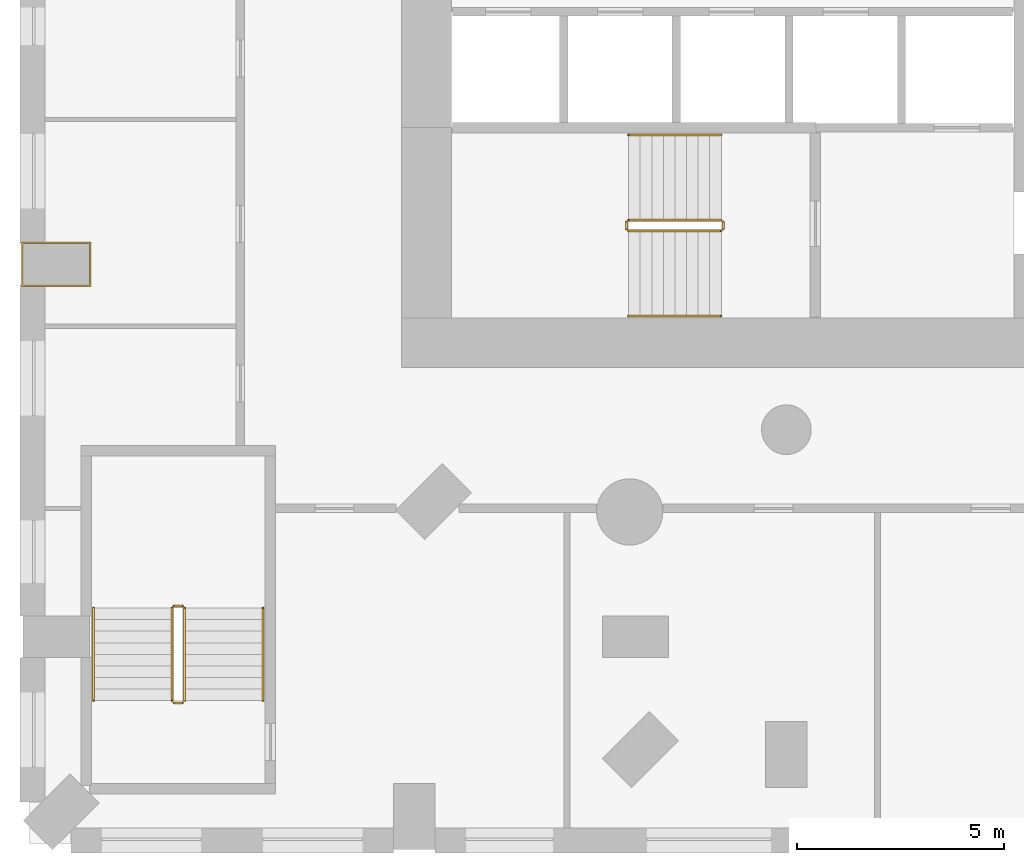
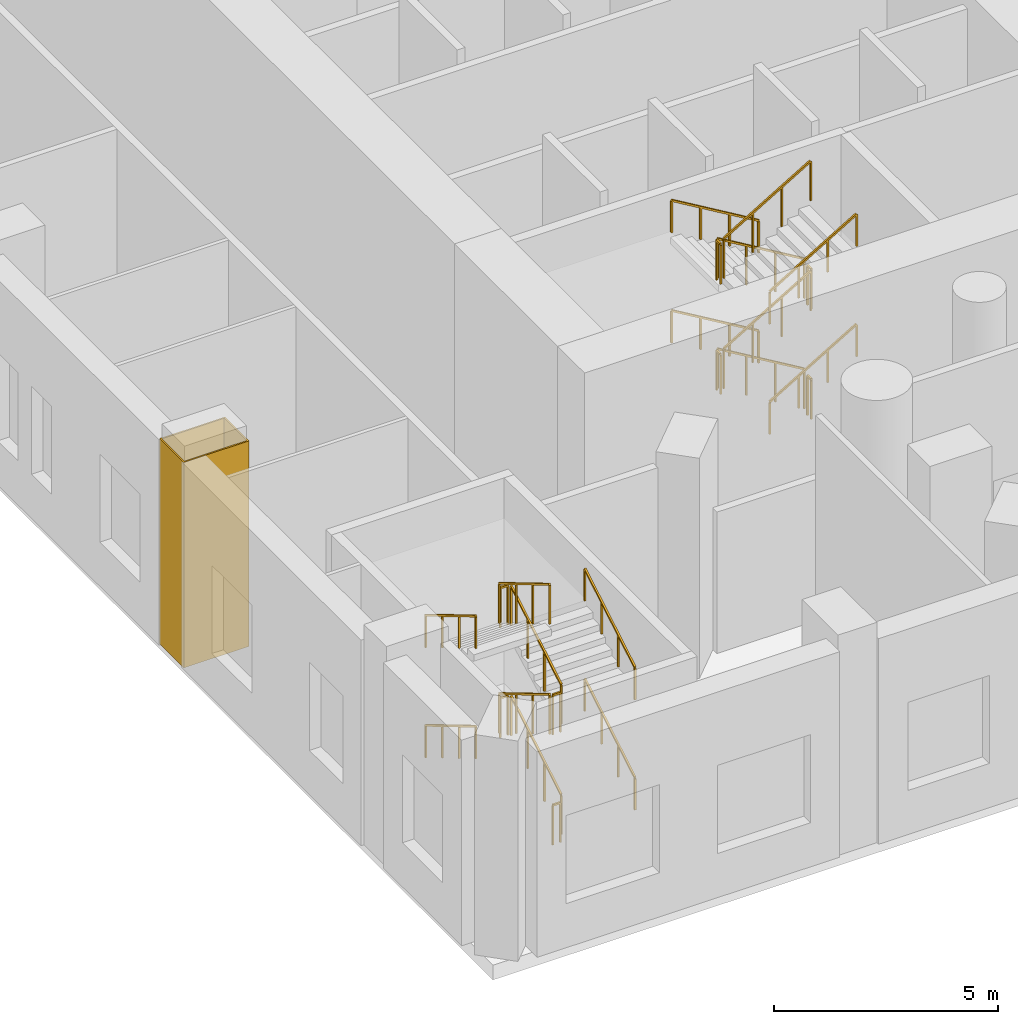
# One storey, part 16 of 19: 24 railings, 1 covering.
"""IFC4 building model written with IfcOpenShell, lengths in metres."""

import ifcopenshell
import ifcopenshell.guid

model = None  # the IFC model being written
_history = None  # IfcOwnerHistory: only IFC2X3 demands one
_inside = {}  # id of a spatial element -> (the spatial element, [elements in it])
_under = {}  # id of a project, library or spatial element -> (it, [spatial elements below it])
_declared = {}  # id of a project -> (the project, [libraries it declares])
_typed = {}  # id of a type object -> (the type object, [elements of that type])
_made_of = {}  # id of a material, layer set ... -> (it, [elements and type objects made of it])


def new_model(schema):
    """Start an empty IFC model of exactly this schema.

    Asked for "IFC4X3", IfcOpenShell would pick the latest addendum, in which some entities
    have other attributes; the version numbers below select the first issue.
    IFC2X3 requires an IfcOwnerHistory on every rooted entity: one is made here for all.
    """
    global model, _history
    if schema == "IFC4X3":
        model = ifcopenshell.file(schema_version=(4, 3, 0, 0))
    else:
        model = ifcopenshell.file(schema=schema)
    _inside.clear()
    _under.clear()
    _declared.clear()
    _typed.clear()
    _made_of.clear()
    _history = None
    if model.schema == "IFC2X3":
        org = make("IfcOrganization", Name="unknown")
        user = make(
            "IfcPersonAndOrganization",
            ThePerson=make("IfcPerson", FamilyName="unknown"),
            TheOrganization=org,
        )
        app = make(
            "IfcApplication",
            ApplicationDeveloper=org,
            Version="unknown",
            ApplicationFullName="unknown",
            ApplicationIdentifier="unknown",
        )
        _history = make(
            "IfcOwnerHistory",
            OwningUser=user,
            OwningApplication=app,
            ChangeAction="ADDED",
            CreationDate=0,
        )
    return model


def make(cls, **values):
    """One entity of the class cls with the attributes given. An attribute that is None is left unset."""
    return model.create_entity(
        cls, **{name: value for name, value in values.items() if value is not None}
    )


def rooted(cls, **values):
    """An entity with a GlobalId (a new one), such as an element, a storey or a relation."""
    return make(cls, GlobalId=ifcopenshell.guid.new(), OwnerHistory=_history, **values)


def si_unit(unit_type, name, prefix=None):
    """IfcSIUnit, for example si_unit("LENGTHUNIT", "METRE", prefix="MILLI")."""
    return make("IfcSIUnit", UnitType=unit_type, Prefix=prefix, Name=name)


def assignment(units):
    """IfcUnitAssignment: the units of a project."""
    return None if units is None else make("IfcUnitAssignment", Units=units)


def point(xyz):
    """IfcCartesianPoint."""
    return None if xyz is None else make("IfcCartesianPoint", Coordinates=xyz)


def direction(xyz):
    """IfcDirection."""
    return None if xyz is None else make("IfcDirection", DirectionRatios=xyz)


def frame(location, z_axis=None, x_axis=None):
    """IfcAxis2Placement3D, a coordinate frame: its origin and axes. An axis left out is left unset."""
    return make(
        "IfcAxis2Placement3D",
        Location=point(location),
        Axis=direction(z_axis),
        RefDirection=direction(x_axis),
    )


def frame_2d(location, x_axis=None):
    """IfcAxis2Placement2D, a coordinate frame in the plane: its origin and x axis."""
    return make(
        "IfcAxis2Placement2D", Location=point(location), RefDirection=direction(x_axis)
    )


def origin():
    """The frame at (0, 0, 0) with its axes left unset."""
    return frame((0.0, 0.0, 0.0))


def origin_2d():
    """The frame at (0, 0) in the plane with its x axis left unset."""
    return frame_2d((0.0, 0.0))


def place(relative_to, where):
    """IfcLocalPlacement: puts the frame where relative to a parent placement (None: the world)."""
    return make(
        "IfcLocalPlacement", PlacementRelTo=relative_to, RelativePlacement=where
    )


def context(
    kind, dimensions, precision=None, world=None, true_north=None, identifier=None
):
    """IfcGeometricRepresentationContext, for example the 3D "Model" context."""
    return make(
        "IfcGeometricRepresentationContext",
        ContextIdentifier=identifier,
        ContextType=kind,
        CoordinateSpaceDimension=dimensions,
        Precision=precision,
        WorldCoordinateSystem=world,
        TrueNorth=true_north,
    )


def subcontext(parent, identifier, kind, view, scale=None):
    """IfcGeometricRepresentationSubContext, for example "Body" below "Model"."""
    return make(
        "IfcGeometricRepresentationSubContext",
        ContextIdentifier=identifier,
        ContextType=kind,
        ParentContext=parent,
        TargetScale=scale,
        TargetView=view,
    )


def project(units=None, contexts=None):
    """IfcProject with its units and contexts."""
    return rooted(
        "IfcProject",
        Name="project",
        RepresentationContexts=contexts,
        UnitsInContext=assignment(units),
    )


def spatial(cls, under=None, at=None, **own):
    """A site, building, storey or space (cls), placed at a placement, below another one or the project."""
    s = rooted(cls, ObjectPlacement=at, **own)
    if under is not None:
        _under.setdefault(under.id(), (under, []))[1].append(s)
    return s


def polyline(points):
    """IfcPolyline through the points."""
    return make("IfcPolyline", Points=[point(p) for p in points])


def profile(cls, at=None, kind="AREA", **sizes):
    """A parametric profile (cls). Its sizes go by their IFC names, for example OverallWidth=200.0."""
    return make(cls, ProfileType=kind, Position=at, **sizes)


def rectangle(**sizes):
    """IfcRectangleProfileDef."""
    return profile("IfcRectangleProfileDef", **sizes)


def outline(outer, holes=None, kind="AREA"):
    """IfcArbitraryClosedProfileDef: a profile drawn as a closed curve; with holes, ...WithVoids."""
    if holes is None:
        return make("IfcArbitraryClosedProfileDef", ProfileType=kind, OuterCurve=outer)
    return make(
        "IfcArbitraryProfileDefWithVoids",
        ProfileType=kind,
        OuterCurve=outer,
        InnerCurves=holes,
    )


def extrude(swept, where, along, depth):
    """IfcExtrudedAreaSolid: the profile swept, set in the frame where, extruded along a direction by depth."""
    return make(
        "IfcExtrudedAreaSolid",
        SweptArea=swept,
        Position=where,
        ExtrudedDirection=direction(along),
        Depth=depth,
    )


def shape(context_of_items, identifier, shape_type, items):
    """IfcShapeRepresentation: the items that make up one representation, for example the "Body"."""
    return make(
        "IfcShapeRepresentation",
        ContextOfItems=context_of_items,
        RepresentationIdentifier=identifier,
        RepresentationType=shape_type,
        Items=items,
    )


def material(Name=None, Category=None):
    """IfcMaterial."""
    return make("IfcMaterial", Name=Name, Category=Category)


def layer(
    of_material, thickness, ventilated=None, Name=None, Category=None, Priority=None
):
    """IfcMaterialLayer: one layer of a wall or slab, of a material (None: an air gap)."""
    return make(
        "IfcMaterialLayer",
        Material=of_material,
        LayerThickness=thickness,
        IsVentilated=ventilated,
        Name=Name,
        Category=Category,
        Priority=Priority,
    )


def layer_set(layers, Name=None):
    """IfcMaterialLayerSet."""
    return make("IfcMaterialLayerSet", MaterialLayers=layers, LayerSetName=Name)


def made_of(thing, what):
    """Note that an element or type object is made of a material, layer set ...; save() writes the relation."""
    if what is not None:
        _made_of.setdefault(what.id(), (what, []))[1].append(thing)
    return thing


def type_object(cls, material=None, **own):
    """A type object (cls), such as IfcWallType, which elements share."""
    return made_of(rooted(cls, **own), material)


def element(
    cls,
    number,
    at=None,
    inside=None,
    cuts=None,
    type_object=None,
    material=None,
    context=None,
    identifier="Body",
    shape_type=None,
    held_by="IfcProductDefinitionShape",
    body=None,
    shapes=None,
    **own,
):
    """One element of the class cls, such as IfcWall. Its Tag is "e" and its number.

    at: its placement. inside: the storey or other place that contains it. cuts: it is an
    opening in that element (IfcRelVoidsElement). A single representation is given by context,
    identifier, shape_type and body (its items); several are given by shapes. held_by: the class
    of the entity that holds the representations. save() writes the other relations.
    """
    e = rooted(cls, Tag="e%d" % number, ObjectPlacement=at, **own)
    if body is not None:
        shapes = [shape(context, identifier, shape_type, body)]
    if shapes is not None:
        e.Representation = make(held_by, Representations=shapes)
    if inside is not None:
        _inside.setdefault(inside.id(), (inside, []))[1].append(e)
    if cuts is not None:
        rooted(
            "IfcRelVoidsElement", RelatingBuildingElement=cuts, RelatedOpeningElement=e
        )
    if type_object is not None:
        _typed.setdefault(type_object.id(), (type_object, []))[1].append(e)
    return made_of(e, material)


def aggregate(whole, parts):
    """IfcRelAggregates: a whole, such as a stair, and the parts it consists of."""
    return rooted("IfcRelAggregates", RelatingObject=whole, RelatedObjects=parts)


def save(model, path):
    """Write the relations noted so far, then the file.

    IfcRelAggregates (storeys below a building ...), IfcRelContainedInSpatialStructure (elements
    in a storey), IfcRelDefinesByType, IfcRelAssociatesMaterial and IfcRelDeclares: one each for
    every whole, place, type object, material and project.
    """
    for whole, parts in _under.values():
        aggregate(whole, parts)
    for where, things in _inside.values():
        rooted(
            "IfcRelContainedInSpatialStructure",
            RelatedElements=things,
            RelatingStructure=where,
        )
    for kind, things in _typed.values():
        rooted("IfcRelDefinesByType", RelatedObjects=things, RelatingType=kind)
    for what, things in _made_of.values():
        rooted("IfcRelAssociatesMaterial", RelatedObjects=things, RelatingMaterial=what)
    for by, libraries in _declared.values():
        rooted("IfcRelDeclares", RelatingContext=by, RelatedDefinitions=libraries)
    model.write(path)


model = new_model("IFC4")

# Units and contexts
model_context = context("Model", 3, precision=1e-05, world=origin(), true_north=direction((0.0, 1.0)))
body_context = subcontext(model_context, "Body", "Model", "MODEL_VIEW")
ifc_project = project(units=[si_unit("LENGTHUNIT", "METRE"), si_unit("AREAUNIT", "SQUARE_METRE"), si_unit("VOLUMEUNIT", "CUBIC_METRE"), si_unit("PLANEANGLEUNIT", "RADIAN"), si_unit("MASSUNIT", "GRAM", prefix="KILO")], contexts=[model_context])

# Site, building, storey
site_placement = place(None, origin())
site = spatial("IfcSite", under=ifc_project, at=site_placement, CompositionType="ELEMENT")
building_placement = place(site_placement, origin())
building = spatial("IfcBuilding", under=site, at=building_placement, Name="Cypress Arch Tower", CompositionType="ELEMENT")
storey_placement = place(building_placement, frame((0.0, 0.0, 44.0)))
storey = spatial("IfcBuildingStorey", under=building, at=storey_placement, Name="L05", CompositionType="ELEMENT", Elevation=44.0)

# Covering
ifc_material_1 = material(Name="Painted plasterboard column casing")
ifc_layer = layer(ifc_material_1, 0.0400390625)
ifc_layer_set = layer_set([ifc_layer], Name="Column casing CK40")
covering_type = type_object("IfcCoveringType", Name="Column casing CK40", PredefinedType="CLADDING", material=ifc_layer_set)
covering_placement = place(storey_placement, origin())
element("IfcCovering", 1, at=covering_placement, inside=storey, type_object=covering_type, Name="Column casing L05 CP28", PredefinedType="CLADDING", context=body_context, shape_type="SweptSolid", body=[
    extrude(outline(polyline([(-39.18994140625, -12.9599609375), (-37.510009765625, -12.9599609375), (-37.510009765625, -14.0400390625), (-39.18994140625, -14.0400390625), (-39.18994140625, -12.9599609375)]), holes=[polyline([(-39.14990234375, -13.0), (-39.14990234375, -14.0), (-37.550048828125, -14.0), (-37.550048828125, -13.0), (-39.14990234375, -13.0)])]), origin(), (0.0, 0.0, 1.0), 5.595947265625),
])

# Railings
ifc_material_2 = material(Name="Black powder-coated steel square bar 48 mm", Category="steel")
railing_type_1 = type_object("IfcRailingType", Name="Stair handrail HR1", PredefinedType="HANDRAIL", material=ifc_material_2)
railing_1_placement = place(storey_placement, frame((-22.27490234375, -10.375, 0.166748046875)))
element("IfcRailing", 2, at=railing_1_placement, inside=storey, type_object=railing_type_1, Name="L05 A stair handrail 1", PredefinedType="HANDRAIL", context=body_context, shape_type="SweptSolid", body=[
    extrude(rectangle(XDim=0.048095703125, YDim=0.048095703125, at=origin_2d()), frame((0.0, 0.0, 0.8759765625), z_axis=(-0.859305625298, 0.0, 0.511462454469), x_axis=(0.0, -1.0, 0.0)), (0.0, 0.0, 1.0), 2.606689453125),
    extrude(rectangle(XDim=0.0419921875, YDim=0.0419921875, at=origin_2d()), origin(), (0.0, 0.0, 1.0), 0.851806640625),
    extrude(rectangle(XDim=0.0419921875, YDim=0.0419921875, at=origin_2d()), frame((-0.74658203125, 0.0, 0.4443359375)), (0.0, 0.0, 1.0), 0.851806640625),
    extrude(rectangle(XDim=0.0419921875, YDim=0.0419921875, at=origin_2d()), frame((-1.493408203125, 0.0, 0.888916015625)), (0.0, 0.0, 1.0), 0.851806640625),
    extrude(rectangle(XDim=0.0419921875, YDim=0.0419921875, at=origin_2d()), frame((-2.239990234375, 0.0, 1.333251953125)), (0.0, 0.0, 1.0), 0.851806640625),
])
railing_2_placement = place(storey_placement, frame((-24.514892578125, -14.75, 1.666748046875)))
element("IfcRailing", 3, at=railing_2_placement, inside=storey, type_object=railing_type_1, Name="L05 A stair handrail 2", PredefinedType="HANDRAIL", context=body_context, shape_type="SweptSolid", body=[
    extrude(rectangle(XDim=0.048095703125, YDim=0.048095703125, at=origin_2d()), frame((0.0, 0.0, 0.8759765625), z_axis=(0.859305625298, 0.0, 0.511462454469), x_axis=(0.0, 1.0, 0.0)), (0.0, 0.0, 1.0), 2.606689453125),
    extrude(rectangle(XDim=0.0419921875, YDim=0.0419921875, at=origin_2d()), origin(), (0.0, 0.0, 1.0), 0.851806640625),
    extrude(rectangle(XDim=0.0419921875, YDim=0.0419921875, at=origin_2d()), frame((0.74658203125, 0.0, 0.4443359375)), (0.0, 0.0, 1.0), 0.851806640625),
    extrude(rectangle(XDim=0.0419921875, YDim=0.0419921875, at=origin_2d()), frame((1.493408203125, 0.0, 0.888916015625)), (0.0, 0.0, 1.0), 0.851806640625),
    extrude(rectangle(XDim=0.0419921875, YDim=0.0419921875, at=origin_2d()), frame((2.239990234375, 0.0, 1.333251953125)), (0.0, 0.0, 1.0), 0.851806640625),
])
railing_3_placement = place(storey_placement, frame((-22.27490234375, -10.375, 3.166748046875)))
element("IfcRailing", 4, at=railing_3_placement, inside=storey, type_object=railing_type_1, Name="L05 A stair handrail 3", PredefinedType="HANDRAIL", context=body_context, shape_type="SweptSolid", body=[
    extrude(rectangle(XDim=0.048095703125, YDim=0.048095703125, at=origin_2d()), frame((0.0, 0.0, 0.8759765625), z_axis=(-0.859305625298, 0.0, 0.511462454469), x_axis=(0.0, -1.0, 0.0)), (0.0, 0.0, 1.0), 2.606689453125),
    extrude(rectangle(XDim=0.0419921875, YDim=0.0419921875, at=origin_2d()), origin(), (0.0, 0.0, 1.0), 0.851806640625),
    extrude(rectangle(XDim=0.0419921875, YDim=0.0419921875, at=origin_2d()), frame((-0.74658203125, 0.0, 0.4443359375)), (0.0, 0.0, 1.0), 0.851806640625),
    extrude(rectangle(XDim=0.0419921875, YDim=0.0419921875, at=origin_2d()), frame((-1.493408203125, 0.0, 0.888916015625)), (0.0, 0.0, 1.0), 0.851806640625),
    extrude(rectangle(XDim=0.0419921875, YDim=0.0419921875, at=origin_2d()), frame((-2.239990234375, 0.0, 1.333251953125)), (0.0, 0.0, 1.0), 0.851806640625),
])
railing_4_placement = place(storey_placement, frame((-24.514892578125, -14.75, 4.666748046875)))
element("IfcRailing", 5, at=railing_4_placement, inside=storey, type_object=railing_type_1, Name="L05 A stair handrail 4", PredefinedType="HANDRAIL", context=body_context, shape_type="SweptSolid", body=[
    extrude(rectangle(XDim=0.048095703125, YDim=0.048095703125, at=origin_2d()), frame((0.0, 0.0, 0.8759765625), z_axis=(0.859305625298, 0.0, 0.511462454469), x_axis=(0.0, 1.0, 0.0)), (0.0, 0.0, 1.0), 2.606689453125),
    extrude(rectangle(XDim=0.0419921875, YDim=0.0419921875, at=origin_2d()), origin(), (0.0, 0.0, 1.0), 0.851806640625),
    extrude(rectangle(XDim=0.0419921875, YDim=0.0419921875, at=origin_2d()), frame((0.74658203125, 0.0, 0.4443359375)), (0.0, 0.0, 1.0), 0.851806640625),
    extrude(rectangle(XDim=0.0419921875, YDim=0.0419921875, at=origin_2d()), frame((1.493408203125, 0.0, 0.888916015625)), (0.0, 0.0, 1.0), 0.851806640625),
    extrude(rectangle(XDim=0.0419921875, YDim=0.0419921875, at=origin_2d()), frame((2.239990234375, 0.0, 1.333251953125)), (0.0, 0.0, 1.0), 0.851806640625),
])
railing_5_placement = place(storey_placement, frame((-33.35009765625, -24.050048828125, 0.166748046875)))
element("IfcRailing", 6, at=railing_5_placement, inside=storey, type_object=railing_type_1, Name="L05 P1 stair handrail 1", PredefinedType="HANDRAIL", context=body_context, shape_type="SweptSolid", body=[
    extrude(rectangle(XDim=0.048095703125, YDim=0.048095703125, at=origin_2d()), frame((0.0, 0.0, 0.8759765625), z_axis=(0.0, 0.859305625298, 0.511462454469), x_axis=(-1.0, 0.0, 0.0)), (0.0, 0.0, 1.0), 2.606689453125),
    extrude(rectangle(XDim=0.0419921875, YDim=0.0419921875, at=origin_2d()), origin(), (0.0, 0.0, 1.0), 0.851806640625),
    extrude(rectangle(XDim=0.0419921875, YDim=0.0419921875, at=origin_2d()), frame((0.0, 0.74658203125, 0.4443359375)), (0.0, 0.0, 1.0), 0.851806640625),
    extrude(rectangle(XDim=0.0419921875, YDim=0.0419921875, at=origin_2d()), frame((0.0, 1.493408203125, 0.888916015625)), (0.0, 0.0, 1.0), 0.851806640625),
    extrude(rectangle(XDim=0.0419921875, YDim=0.0419921875, at=origin_2d()), frame((0.0, 2.239990234375, 1.333251953125)), (0.0, 0.0, 1.0), 0.851806640625),
])
railing_6_placement = place(storey_placement, frame((-37.449951171875, -21.81005859375, 1.666748046875)))
element("IfcRailing", 7, at=railing_6_placement, inside=storey, type_object=railing_type_1, Name="L05 P1 stair handrail 2", PredefinedType="HANDRAIL", context=body_context, shape_type="SweptSolid", body=[
    extrude(rectangle(XDim=0.048095703125, YDim=0.048095703125, at=origin_2d()), frame((0.0, 0.0, 0.8759765625), z_axis=(0.0, -0.859305625298, 0.511462454469), x_axis=(1.0, 0.0, 0.0)), (0.0, 0.0, 1.0), 2.606689453125),
    extrude(rectangle(XDim=0.0419921875, YDim=0.0419921875, at=origin_2d()), origin(), (0.0, 0.0, 1.0), 0.851806640625),
    extrude(rectangle(XDim=0.0419921875, YDim=0.0419921875, at=origin_2d()), frame((0.0, -0.74658203125, 0.4443359375)), (0.0, 0.0, 1.0), 0.851806640625),
    extrude(rectangle(XDim=0.0419921875, YDim=0.0419921875, at=origin_2d()), frame((0.0, -1.493408203125, 0.888916015625)), (0.0, 0.0, 1.0), 0.851806640625),
    extrude(rectangle(XDim=0.0419921875, YDim=0.0419921875, at=origin_2d()), frame((0.0, -2.239990234375, 1.333251953125)), (0.0, 0.0, 1.0), 0.851806640625),
])
railing_7_placement = place(storey_placement, frame((-33.35009765625, -24.050048828125, 3.166748046875)))
element("IfcRailing", 8, at=railing_7_placement, inside=storey, type_object=railing_type_1, Name="L05 P1 stair handrail 3", PredefinedType="HANDRAIL", context=body_context, shape_type="SweptSolid", body=[
    extrude(rectangle(XDim=0.048095703125, YDim=0.048095703125, at=origin_2d()), frame((0.0, 0.0, 0.8759765625), z_axis=(0.0, 0.859305625298, 0.511462454469), x_axis=(-1.0, 0.0, 0.0)), (0.0, 0.0, 1.0), 2.606689453125),
    extrude(rectangle(XDim=0.0419921875, YDim=0.0419921875, at=origin_2d()), origin(), (0.0, 0.0, 1.0), 0.851806640625),
    extrude(rectangle(XDim=0.0419921875, YDim=0.0419921875, at=origin_2d()), frame((0.0, 0.74658203125, 0.4443359375)), (0.0, 0.0, 1.0), 0.851806640625),
    extrude(rectangle(XDim=0.0419921875, YDim=0.0419921875, at=origin_2d()), frame((0.0, 1.493408203125, 0.888916015625)), (0.0, 0.0, 1.0), 0.851806640625),
    extrude(rectangle(XDim=0.0419921875, YDim=0.0419921875, at=origin_2d()), frame((0.0, 2.239990234375, 1.333251953125)), (0.0, 0.0, 1.0), 0.851806640625),
])
railing_8_placement = place(storey_placement, frame((-37.449951171875, -21.81005859375, 4.666748046875)))
element("IfcRailing", 9, at=railing_8_placement, inside=storey, type_object=railing_type_1, Name="L05 P1 stair handrail 4", PredefinedType="HANDRAIL", context=body_context, shape_type="SweptSolid", body=[
    extrude(rectangle(XDim=0.048095703125, YDim=0.048095703125, at=origin_2d()), frame((0.0, 0.0, 0.8759765625), z_axis=(0.0, -0.859305625298, 0.511462454469), x_axis=(1.0, 0.0, 0.0)), (0.0, 0.0, 1.0), 2.606689453125),
    extrude(rectangle(XDim=0.0419921875, YDim=0.0419921875, at=origin_2d()), origin(), (0.0, 0.0, 1.0), 0.851806640625),
    extrude(rectangle(XDim=0.0419921875, YDim=0.0419921875, at=origin_2d()), frame((0.0, -0.74658203125, 0.4443359375)), (0.0, 0.0, 1.0), 0.851806640625),
    extrude(rectangle(XDim=0.0419921875, YDim=0.0419921875, at=origin_2d()), frame((0.0, -1.493408203125, 0.888916015625)), (0.0, 0.0, 1.0), 0.851806640625),
    extrude(rectangle(XDim=0.0419921875, YDim=0.0419921875, at=origin_2d()), frame((0.0, -2.239990234375, 1.333251953125)), (0.0, 0.0, 1.0), 0.851806640625),
])
ifc_material_3 = material(Name="Black powder-coated steel balusters", Category="steel")
railing_type_2 = type_object("IfcRailingType", Name="Stair well guard G1", PredefinedType="GUARDRAIL", material=ifc_material_3)
railing_9_placement = place(storey_placement, frame((-22.27490234375, -12.425048828125, 0.166748046875)))
element("IfcRailing", 10, at=railing_9_placement, inside=storey, type_object=railing_type_2, Name="L05 A stair guard 1", PredefinedType="GUARDRAIL", context=body_context, shape_type="SweptSolid", body=[
    extrude(rectangle(XDim=0.048095703125, YDim=0.048095703125, at=origin_2d()), frame((0.0, 0.0, 1.076171875), z_axis=(-0.859305625298, 0.0, 0.511462454469), x_axis=(0.0, -1.0, 0.0)), (0.0, 0.0, 1.0), 2.606689453125),
    extrude(rectangle(XDim=0.0419921875, YDim=0.0419921875, at=origin_2d()), origin(), (0.0, 0.0, 1.0), 1.052001953125),
    extrude(rectangle(XDim=0.0419921875, YDim=0.0419921875, at=origin_2d()), frame((-0.74658203125, 0.0, 0.4443359375)), (0.0, 0.0, 1.0), 1.052001953125),
    extrude(rectangle(XDim=0.0419921875, YDim=0.0419921875, at=origin_2d()), frame((-1.493408203125, 0.0, 0.888916015625)), (0.0, 0.0, 1.0), 1.052001953125),
    extrude(rectangle(XDim=0.0419921875, YDim=0.0419921875, at=origin_2d()), frame((-2.239990234375, 0.0, 1.333251953125)), (0.0, 0.0, 1.0), 1.052001953125),
])
railing_10_placement = place(storey_placement, frame((-24.56494140625, -12.47509765625, 1.5)))
element("IfcRailing", 11, at=railing_10_placement, inside=storey, type_object=railing_type_2, Name="L05 A stair guard 2", PredefinedType="GUARDRAIL", context=body_context, shape_type="SweptSolid", body=[
    extrude(rectangle(XDim=0.048095703125, YDim=0.048095703125, at=origin_2d()), frame((0.0, 0.0, 1.076171875), z_axis=(0.0, -1.0, 0.0), x_axis=(1.0, 0.0, 0.0)), (0.0, 0.0, 1.0), 0.1748046875),
    extrude(rectangle(XDim=0.0419921875, YDim=0.0419921875, at=origin_2d()), origin(), (0.0, 0.0, 1.0), 1.052001953125),
    extrude(rectangle(XDim=0.0419921875, YDim=0.0419921875, at=origin_2d()), frame((0.0, -0.1748046875, 0.0)), (0.0, 0.0, 1.0), 1.052001953125),
])
railing_11_placement = place(storey_placement, frame((-24.514892578125, -12.699951171875, 1.666748046875)))
element("IfcRailing", 12, at=railing_11_placement, inside=storey, type_object=railing_type_2, Name="L05 A stair guard 3", PredefinedType="GUARDRAIL", context=body_context, shape_type="SweptSolid", body=[
    extrude(rectangle(XDim=0.048095703125, YDim=0.048095703125, at=origin_2d()), frame((0.0, 0.0, 1.076171875), z_axis=(0.859305625298, 0.0, 0.511462454469), x_axis=(0.0, 1.0, 0.0)), (0.0, 0.0, 1.0), 2.606689453125),
    extrude(rectangle(XDim=0.0419921875, YDim=0.0419921875, at=origin_2d()), origin(), (0.0, 0.0, 1.0), 1.052001953125),
    extrude(rectangle(XDim=0.0419921875, YDim=0.0419921875, at=origin_2d()), frame((0.74658203125, 0.0, 0.4443359375)), (0.0, 0.0, 1.0), 1.052001953125),
    extrude(rectangle(XDim=0.0419921875, YDim=0.0419921875, at=origin_2d()), frame((1.493408203125, 0.0, 0.888916015625)), (0.0, 0.0, 1.0), 1.052001953125),
    extrude(rectangle(XDim=0.0419921875, YDim=0.0419921875, at=origin_2d()), frame((2.239990234375, 0.0, 1.333251953125)), (0.0, 0.0, 1.0), 1.052001953125),
])
railing_12_placement = place(storey_placement, frame((-22.22509765625, -12.47509765625, 3.0)))
element("IfcRailing", 13, at=railing_12_placement, inside=storey, type_object=railing_type_2, Name="L05 A stair guard 4", PredefinedType="GUARDRAIL", context=body_context, shape_type="SweptSolid", body=[
    extrude(rectangle(XDim=0.048095703125, YDim=0.048095703125, at=origin_2d()), frame((0.0, 0.0, 1.076171875), z_axis=(0.0, -1.0, 0.0), x_axis=(1.0, 0.0, 0.0)), (0.0, 0.0, 1.0), 0.1748046875),
    extrude(rectangle(XDim=0.0419921875, YDim=0.0419921875, at=origin_2d()), origin(), (0.0, 0.0, 1.0), 1.052001953125),
    extrude(rectangle(XDim=0.0419921875, YDim=0.0419921875, at=origin_2d()), frame((0.0, -0.1748046875, 0.0)), (0.0, 0.0, 1.0), 1.052001953125),
])
railing_13_placement = place(storey_placement, frame((-22.27490234375, -12.425048828125, 3.166748046875)))
element("IfcRailing", 14, at=railing_13_placement, inside=storey, type_object=railing_type_2, Name="L05 A stair guard 5", PredefinedType="GUARDRAIL", context=body_context, shape_type="SweptSolid", body=[
    extrude(rectangle(XDim=0.048095703125, YDim=0.048095703125, at=origin_2d()), frame((0.0, 0.0, 1.076171875), z_axis=(-0.859305625298, 0.0, 0.511462454469), x_axis=(0.0, -1.0, 0.0)), (0.0, 0.0, 1.0), 2.606689453125),
    extrude(rectangle(XDim=0.0419921875, YDim=0.0419921875, at=origin_2d()), origin(), (0.0, 0.0, 1.0), 1.052001953125),
    extrude(rectangle(XDim=0.0419921875, YDim=0.0419921875, at=origin_2d()), frame((-0.74658203125, 0.0, 0.4443359375)), (0.0, 0.0, 1.0), 1.052001953125),
    extrude(rectangle(XDim=0.0419921875, YDim=0.0419921875, at=origin_2d()), frame((-1.493408203125, 0.0, 0.888916015625)), (0.0, 0.0, 1.0), 1.052001953125),
    extrude(rectangle(XDim=0.0419921875, YDim=0.0419921875, at=origin_2d()), frame((-2.239990234375, 0.0, 1.333251953125)), (0.0, 0.0, 1.0), 1.052001953125),
])
railing_14_placement = place(storey_placement, frame((-24.56494140625, -12.47509765625, 4.5)))
element("IfcRailing", 15, at=railing_14_placement, inside=storey, type_object=railing_type_2, Name="L05 A stair guard 6", PredefinedType="GUARDRAIL", context=body_context, shape_type="SweptSolid", body=[
    extrude(rectangle(XDim=0.048095703125, YDim=0.048095703125, at=origin_2d()), frame((0.0, 0.0, 1.076171875), z_axis=(0.0, -1.0, 0.0), x_axis=(1.0, 0.0, 0.0)), (0.0, 0.0, 1.0), 0.1748046875),
    extrude(rectangle(XDim=0.0419921875, YDim=0.0419921875, at=origin_2d()), origin(), (0.0, 0.0, 1.0), 1.052001953125),
    extrude(rectangle(XDim=0.0419921875, YDim=0.0419921875, at=origin_2d()), frame((0.0, -0.1748046875, 0.0)), (0.0, 0.0, 1.0), 1.052001953125),
])
railing_15_placement = place(storey_placement, frame((-24.514892578125, -12.699951171875, 4.666748046875)))
element("IfcRailing", 16, at=railing_15_placement, inside=storey, type_object=railing_type_2, Name="L05 A stair guard 7", PredefinedType="GUARDRAIL", context=body_context, shape_type="SweptSolid", body=[
    extrude(rectangle(XDim=0.048095703125, YDim=0.048095703125, at=origin_2d()), frame((0.0, 0.0, 1.076171875), z_axis=(0.859305625298, 0.0, 0.511462454469), x_axis=(0.0, 1.0, 0.0)), (0.0, 0.0, 1.0), 2.606689453125),
    extrude(rectangle(XDim=0.0419921875, YDim=0.0419921875, at=origin_2d()), origin(), (0.0, 0.0, 1.0), 1.052001953125),
    extrude(rectangle(XDim=0.0419921875, YDim=0.0419921875, at=origin_2d()), frame((0.74658203125, 0.0, 0.4443359375)), (0.0, 0.0, 1.0), 1.052001953125),
    extrude(rectangle(XDim=0.0419921875, YDim=0.0419921875, at=origin_2d()), frame((1.493408203125, 0.0, 0.888916015625)), (0.0, 0.0, 1.0), 1.052001953125),
    extrude(rectangle(XDim=0.0419921875, YDim=0.0419921875, at=origin_2d()), frame((2.239990234375, 0.0, 1.333251953125)), (0.0, 0.0, 1.0), 1.052001953125),
])
railing_16_placement = place(storey_placement, frame((-22.22509765625, -12.47509765625, 0.0)))
element("IfcRailing", 17, at=railing_16_placement, inside=storey, type_object=railing_type_2, Name="L05 A stair guard 8", PredefinedType="GUARDRAIL", context=body_context, shape_type="SweptSolid", body=[
    extrude(rectangle(XDim=0.048095703125, YDim=0.048095703125, at=origin_2d()), frame((0.0, 0.0, 1.076171875), z_axis=(0.0, -1.0, 0.0), x_axis=(1.0, 0.0, 0.0)), (0.0, 0.0, 1.0), 0.1748046875),
    extrude(rectangle(XDim=0.0419921875, YDim=0.0419921875, at=origin_2d()), origin(), (0.0, 0.0, 1.0), 1.052001953125),
    extrude(rectangle(XDim=0.0419921875, YDim=0.0419921875, at=origin_2d()), frame((0.0, -0.1748046875, 0.0)), (0.0, 0.0, 1.0), 1.052001953125),
])
railing_17_placement = place(storey_placement, frame((-35.25, -24.050048828125, 0.166748046875)))
element("IfcRailing", 18, at=railing_17_placement, inside=storey, type_object=railing_type_2, Name="L05 P1 stair guard 1", PredefinedType="GUARDRAIL", context=body_context, shape_type="SweptSolid", body=[
    extrude(rectangle(XDim=0.048095703125, YDim=0.048095703125, at=origin_2d()), frame((0.0, 0.0, 1.076171875), z_axis=(0.0, 0.859305625298, 0.511462454469), x_axis=(-1.0, 0.0, 0.0)), (0.0, 0.0, 1.0), 2.606689453125),
    extrude(rectangle(XDim=0.0419921875, YDim=0.0419921875, at=origin_2d()), origin(), (0.0, 0.0, 1.0), 1.052001953125),
    extrude(rectangle(XDim=0.0419921875, YDim=0.0419921875, at=origin_2d()), frame((0.0, 0.74658203125, 0.4443359375)), (0.0, 0.0, 1.0), 1.052001953125),
    extrude(rectangle(XDim=0.0419921875, YDim=0.0419921875, at=origin_2d()), frame((0.0, 1.493408203125, 0.888916015625)), (0.0, 0.0, 1.0), 1.052001953125),
    extrude(rectangle(XDim=0.0419921875, YDim=0.0419921875, at=origin_2d()), frame((0.0, 2.239990234375, 1.333251953125)), (0.0, 0.0, 1.0), 1.052001953125),
])
railing_18_placement = place(storey_placement, frame((-35.300048828125, -21.760009765625, 1.5)))
element("IfcRailing", 19, at=railing_18_placement, inside=storey, type_object=railing_type_2, Name="L05 P1 stair guard 2", PredefinedType="GUARDRAIL", context=body_context, shape_type="SweptSolid", body=[
    extrude(rectangle(XDim=0.048095703125, YDim=0.048095703125, at=origin_2d()), frame((0.0, 0.0, 1.076171875), z_axis=(-1.0, 0.0, 0.0), x_axis=(0.0, -1.0, 0.0)), (0.0, 0.0, 1.0), 0.199951171875),
    extrude(rectangle(XDim=0.0419921875, YDim=0.0419921875, at=origin_2d()), origin(), (0.0, 0.0, 1.0), 1.052001953125),
    extrude(rectangle(XDim=0.0419921875, YDim=0.0419921875, at=origin_2d()), frame((-0.199951171875, 0.0, 0.0)), (0.0, 0.0, 1.0), 1.052001953125),
])
railing_19_placement = place(storey_placement, frame((-35.550048828125, -21.81005859375, 1.666748046875)))
element("IfcRailing", 20, at=railing_19_placement, inside=storey, type_object=railing_type_2, Name="L05 P1 stair guard 3", PredefinedType="GUARDRAIL", context=body_context, shape_type="SweptSolid", body=[
    extrude(rectangle(XDim=0.048095703125, YDim=0.048095703125, at=origin_2d()), frame((0.0, 0.0, 1.076171875), z_axis=(0.0, -0.859305625298, 0.511462454469), x_axis=(1.0, 0.0, 0.0)), (0.0, 0.0, 1.0), 2.606689453125),
    extrude(rectangle(XDim=0.0419921875, YDim=0.0419921875, at=origin_2d()), origin(), (0.0, 0.0, 1.0), 1.052001953125),
    extrude(rectangle(XDim=0.0419921875, YDim=0.0419921875, at=origin_2d()), frame((0.0, -0.74658203125, 0.4443359375)), (0.0, 0.0, 1.0), 1.052001953125),
    extrude(rectangle(XDim=0.0419921875, YDim=0.0419921875, at=origin_2d()), frame((0.0, -1.493408203125, 0.888916015625)), (0.0, 0.0, 1.0), 1.052001953125),
    extrude(rectangle(XDim=0.0419921875, YDim=0.0419921875, at=origin_2d()), frame((0.0, -2.239990234375, 1.333251953125)), (0.0, 0.0, 1.0), 1.052001953125),
])
railing_20_placement = place(storey_placement, frame((-35.300048828125, -24.10009765625, 3.0)))
element("IfcRailing", 21, at=railing_20_placement, inside=storey, type_object=railing_type_2, Name="L05 P1 stair guard 4", PredefinedType="GUARDRAIL", context=body_context, shape_type="SweptSolid", body=[
    extrude(rectangle(XDim=0.048095703125, YDim=0.048095703125, at=origin_2d()), frame((0.0, 0.0, 1.076171875), z_axis=(-1.0, 0.0, 0.0), x_axis=(0.0, -1.0, 0.0)), (0.0, 0.0, 1.0), 0.199951171875),
    extrude(rectangle(XDim=0.0419921875, YDim=0.0419921875, at=origin_2d()), origin(), (0.0, 0.0, 1.0), 1.052001953125),
    extrude(rectangle(XDim=0.0419921875, YDim=0.0419921875, at=origin_2d()), frame((-0.199951171875, 0.0, 0.0)), (0.0, 0.0, 1.0), 1.052001953125),
])
railing_21_placement = place(storey_placement, frame((-35.25, -24.050048828125, 3.166748046875)))
element("IfcRailing", 22, at=railing_21_placement, inside=storey, type_object=railing_type_2, Name="L05 P1 stair guard 5", PredefinedType="GUARDRAIL", context=body_context, shape_type="SweptSolid", body=[
    extrude(rectangle(XDim=0.048095703125, YDim=0.048095703125, at=origin_2d()), frame((0.0, 0.0, 1.076171875), z_axis=(0.0, 0.859305625298, 0.511462454469), x_axis=(-1.0, 0.0, 0.0)), (0.0, 0.0, 1.0), 2.606689453125),
    extrude(rectangle(XDim=0.0419921875, YDim=0.0419921875, at=origin_2d()), origin(), (0.0, 0.0, 1.0), 1.052001953125),
    extrude(rectangle(XDim=0.0419921875, YDim=0.0419921875, at=origin_2d()), frame((0.0, 0.74658203125, 0.4443359375)), (0.0, 0.0, 1.0), 1.052001953125),
    extrude(rectangle(XDim=0.0419921875, YDim=0.0419921875, at=origin_2d()), frame((0.0, 1.493408203125, 0.888916015625)), (0.0, 0.0, 1.0), 1.052001953125),
    extrude(rectangle(XDim=0.0419921875, YDim=0.0419921875, at=origin_2d()), frame((0.0, 2.239990234375, 1.333251953125)), (0.0, 0.0, 1.0), 1.052001953125),
])
railing_22_placement = place(storey_placement, frame((-35.300048828125, -21.760009765625, 4.5)))
element("IfcRailing", 23, at=railing_22_placement, inside=storey, type_object=railing_type_2, Name="L05 P1 stair guard 6", PredefinedType="GUARDRAIL", context=body_context, shape_type="SweptSolid", body=[
    extrude(rectangle(XDim=0.048095703125, YDim=0.048095703125, at=origin_2d()), frame((0.0, 0.0, 1.076171875), z_axis=(-1.0, 0.0, 0.0), x_axis=(0.0, -1.0, 0.0)), (0.0, 0.0, 1.0), 0.199951171875),
    extrude(rectangle(XDim=0.0419921875, YDim=0.0419921875, at=origin_2d()), origin(), (0.0, 0.0, 1.0), 1.052001953125),
    extrude(rectangle(XDim=0.0419921875, YDim=0.0419921875, at=origin_2d()), frame((-0.199951171875, 0.0, 0.0)), (0.0, 0.0, 1.0), 1.052001953125),
])
railing_23_placement = place(storey_placement, frame((-35.550048828125, -21.81005859375, 4.666748046875)))
element("IfcRailing", 24, at=railing_23_placement, inside=storey, type_object=railing_type_2, Name="L05 P1 stair guard 7", PredefinedType="GUARDRAIL", context=body_context, shape_type="SweptSolid", body=[
    extrude(rectangle(XDim=0.048095703125, YDim=0.048095703125, at=origin_2d()), frame((0.0, 0.0, 1.076171875), z_axis=(0.0, -0.859305625298, 0.511462454469), x_axis=(1.0, 0.0, 0.0)), (0.0, 0.0, 1.0), 2.606689453125),
    extrude(rectangle(XDim=0.0419921875, YDim=0.0419921875, at=origin_2d()), origin(), (0.0, 0.0, 1.0), 1.052001953125),
    extrude(rectangle(XDim=0.0419921875, YDim=0.0419921875, at=origin_2d()), frame((0.0, -0.74658203125, 0.4443359375)), (0.0, 0.0, 1.0), 1.052001953125),
    extrude(rectangle(XDim=0.0419921875, YDim=0.0419921875, at=origin_2d()), frame((0.0, -1.493408203125, 0.888916015625)), (0.0, 0.0, 1.0), 1.052001953125),
    extrude(rectangle(XDim=0.0419921875, YDim=0.0419921875, at=origin_2d()), frame((0.0, -2.239990234375, 1.333251953125)), (0.0, 0.0, 1.0), 1.052001953125),
])
railing_24_placement = place(storey_placement, frame((-35.300048828125, -24.10009765625, 0.0)))
element("IfcRailing", 25, at=railing_24_placement, inside=storey, type_object=railing_type_2, Name="L05 P1 stair guard 8", PredefinedType="GUARDRAIL", context=body_context, shape_type="SweptSolid", body=[
    extrude(rectangle(XDim=0.048095703125, YDim=0.048095703125, at=origin_2d()), frame((0.0, 0.0, 1.076171875), z_axis=(-1.0, 0.0, 0.0), x_axis=(0.0, -1.0, 0.0)), (0.0, 0.0, 1.0), 0.199951171875),
    extrude(rectangle(XDim=0.0419921875, YDim=0.0419921875, at=origin_2d()), origin(), (0.0, 0.0, 1.0), 1.052001953125),
    extrude(rectangle(XDim=0.0419921875, YDim=0.0419921875, at=origin_2d()), frame((-0.199951171875, 0.0, 0.0)), (0.0, 0.0, 1.0), 1.052001953125),
])

save(model, "model.ifc")
